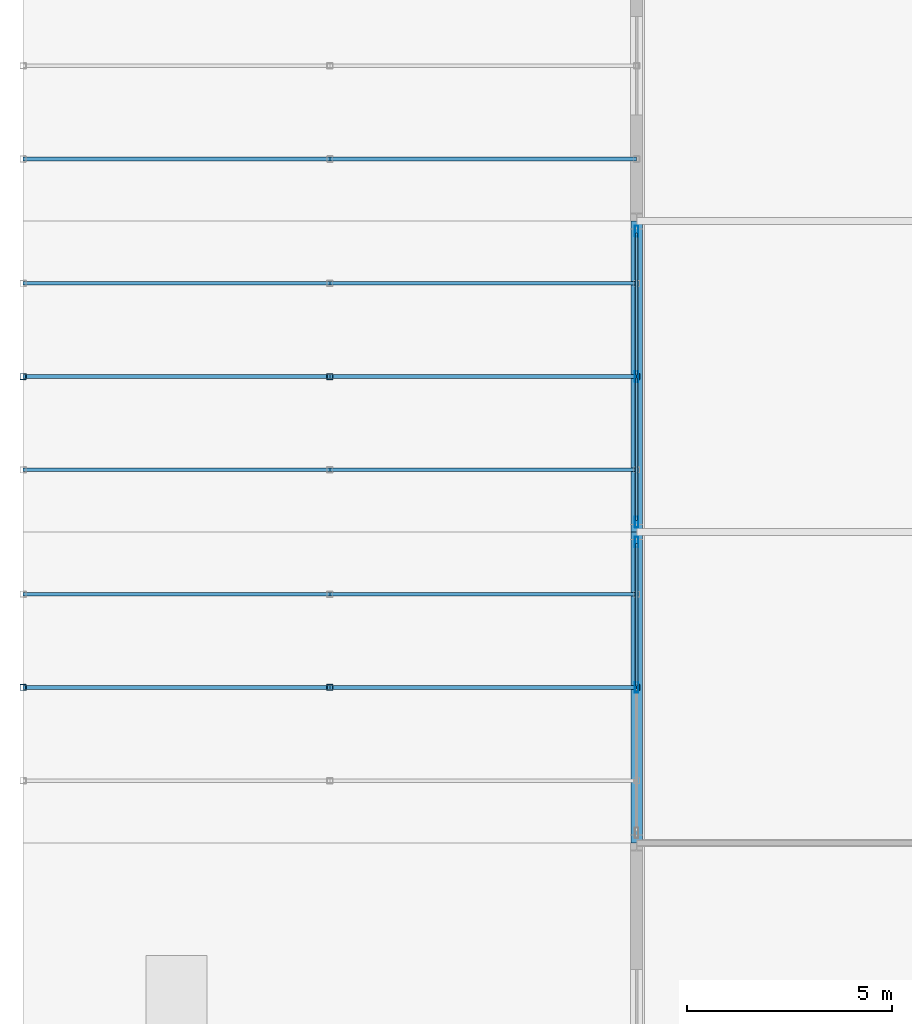
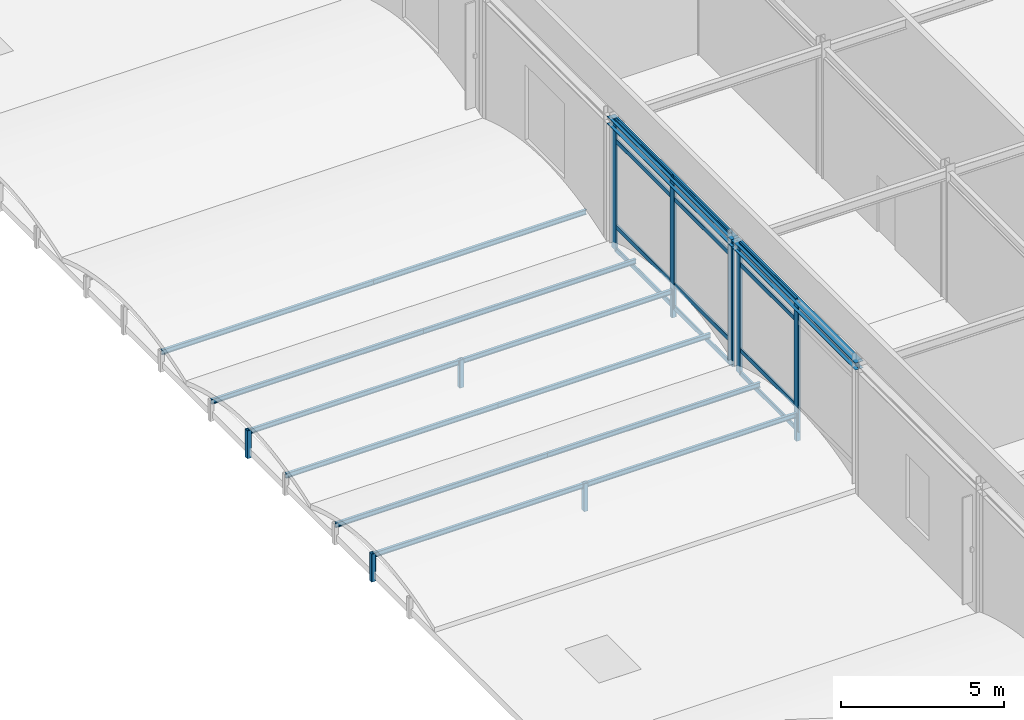
# One storey, part 18 of 79: 35 members, 2 beams, 2 elements without a shape of their own.
"""IFC4 building model written with IfcOpenShell, lengths in metres."""

from ifc_helpers import new_model, si_unit, direction, frame, origin, origin_2d, place, context, subcontext, project, spatial, hollow_rectangle, i_section, extrude, material, layer, layer_set, material_profile, profile_set, type_object, element, aggregate, save


model = new_model("IFC4")

# Units and contexts
model_context = context("Model", 3, precision=1e-05, world=origin(), true_north=direction((0.0, 1.0)))
body_context = subcontext(model_context, "Body", "Model", "MODEL_VIEW")
ifc_project = project(units=[si_unit("LENGTHUNIT", "METRE"), si_unit("AREAUNIT", "SQUARE_METRE"), si_unit("VOLUMEUNIT", "CUBIC_METRE"), si_unit("PLANEANGLEUNIT", "RADIAN"), si_unit("MASSUNIT", "GRAM", prefix="KILO")], contexts=[model_context])

# Site, building, storey
site_placement = place(None, origin())
site = spatial("IfcSite", under=ifc_project, at=site_placement, CompositionType="ELEMENT")
building_placement = place(site_placement, origin())
building = spatial("IfcBuilding", under=site, at=building_placement, Name="Shalkamar Park Central Library", CompositionType="ELEMENT")
storey_placement = place(building_placement, frame((0.0, 0.0, 10.5)))
storey = spatial("IfcBuildingStorey", under=building, at=storey_placement, Name="L03", CompositionType="ELEMENT", Elevation=10.5)

# Curtain wall, members
ifc_material_1 = material(Name="Thermally broken aluminium and triple low-e curtain wall", Category="aluminium")
ifc_layer_1 = layer(ifc_material_1, 0.2548828125)
ifc_layer_set_1 = layer_set([ifc_layer_1], Name="UnitisedCurtainWall_49")
curtain_wall_type_1 = type_object("IfcCurtainWallType", Name="Unitised Curtain Wall 49", PredefinedType="USERDEFINED", material=ifc_layer_set_1)
curtain_wall_1_placement = place(storey_placement, origin())
curtain_wall_1 = element("IfcCurtainWall", 1, at=curtain_wall_1_placement, inside=storey, type_object=curtain_wall_type_1, Name="Unitised Curtain Wall CW-L03-060", ObjectType="UNITISED CURTAIN WALL", PredefinedType="USERDEFINED")
ifc_material_2 = material(Name="Aluminium 6060-T66", Category="aluminium")
ifc_material_profile_1 = material_profile(ifc_material_2, hollow_rectangle(XDim=0.080078125, YDim=0.2548828125, WallThickness=0.00439453125, InnerFilletRadius=0.00439453125, OuterFilletRadius=0.0068359375, at=origin_2d()), Name="ALU 80x255x4.5")
ifc_profile_set_1 = profile_set([ifc_material_profile_1], Name="Aluminium 6060-T66")
member_type_1 = type_object("IfcMemberType", Name="Curtain Wall Mullion ALU80x255", PredefinedType="MULLION", material=ifc_profile_set_1)
member_1_placement = place(storey_placement, frame((150.0, 281.800048828125, 0.0), z_axis=(0.0, 0.0, 1.0), x_axis=(-1.0, 0.0, 0.0)))
member_1 = element("IfcMember", 2, at=member_1_placement, type_object=member_type_1, Name="CW-49 mullion 2", PredefinedType="MULLION", context=body_context, shape_type="SweptSolid", body=[
    extrude(hollow_rectangle(XDim=0.080078125, YDim=0.2548828125, WallThickness=0.00439453125, InnerFilletRadius=0.00439453125, OuterFilletRadius=0.0068359375, at=origin_2d()), origin(), (0.0, 0.0, 1.0), 4.85009765625),
])
member_2_placement = place(storey_placement, frame((150.0, 285.35595703125, 0.0), z_axis=(0.0, 0.0, 1.0), x_axis=(-1.0, 0.0, 0.0)))
member_2 = element("IfcMember", 3, at=member_2_placement, type_object=member_type_1, Name="CW-49 mullion 3", PredefinedType="MULLION", context=body_context, shape_type="SweptSolid", body=[
    extrude(hollow_rectangle(XDim=0.080078125, YDim=0.2548828125, WallThickness=0.00439453125, InnerFilletRadius=0.00439453125, OuterFilletRadius=0.0068359375, at=origin_2d()), origin(), (0.0, 0.0, 1.0), 4.85009765625),
])

ifc_layer_2 = layer(ifc_material_1, 0.27001953125)
ifc_layer_set_2 = layer_set([ifc_layer_2], Name="UnitisedCurtainWall_50")
curtain_wall_type_2 = type_object("IfcCurtainWallType", Name="Unitised Curtain Wall 50", PredefinedType="USERDEFINED", material=ifc_layer_set_2)
curtain_wall_2_placement = place(storey_placement, origin())
curtain_wall_2 = element("IfcCurtainWall", 4, at=curtain_wall_2_placement, inside=storey, type_object=curtain_wall_type_2, Name="Unitised Curtain Wall CW-L03-061", ObjectType="UNITISED CURTAIN WALL", PredefinedType="USERDEFINED")
ifc_material_profile_2 = material_profile(ifc_material_2, hollow_rectangle(XDim=0.080078125, YDim=0.27001953125, WallThickness=0.0048828125, InnerFilletRadius=0.0048828125, OuterFilletRadius=0.007568359375, at=origin_2d()), Name="ALU 80x270x5")
ifc_profile_set_2 = profile_set([ifc_material_profile_2], Name="Aluminium 6060-T66")
member_type_2 = type_object("IfcMemberType", Name="Curtain Wall Mullion ALU80x270", PredefinedType="MULLION", material=ifc_profile_set_2)
member_3_placement = place(storey_placement, frame((150.0, 285.843994140625, 0.0), z_axis=(0.0, 0.0, 1.0), x_axis=(-1.0, 0.0, 0.0)))
member_3 = element("IfcMember", 5, at=member_3_placement, type_object=member_type_2, Name="CW-50 mullion 1", PredefinedType="MULLION", context=body_context, shape_type="SweptSolid", body=[
    extrude(hollow_rectangle(XDim=0.080078125, YDim=0.27001953125, WallThickness=0.0048828125, InnerFilletRadius=0.0048828125, OuterFilletRadius=0.007568359375, at=origin_2d()), origin(), (0.0, 0.0, 1.0), 4.85009765625),
])
member_4_placement = place(storey_placement, frame((150.0, 289.39990234375, 0.0), z_axis=(0.0, 0.0, 1.0), x_axis=(-1.0, 0.0, 0.0)))
member_4 = element("IfcMember", 6, at=member_4_placement, type_object=member_type_2, Name="CW-50 mullion 2", PredefinedType="MULLION", context=body_context, shape_type="SweptSolid", body=[
    extrude(hollow_rectangle(XDim=0.080078125, YDim=0.27001953125, WallThickness=0.0048828125, InnerFilletRadius=0.0048828125, OuterFilletRadius=0.007568359375, at=origin_2d()), origin(), (0.0, 0.0, 1.0), 4.85009765625),
])
member_5_placement = place(storey_placement, frame((150.0, 292.9560546875, 0.0), z_axis=(0.0, 0.0, 1.0), x_axis=(-1.0, 0.0, 0.0)))
member_5 = element("IfcMember", 7, at=member_5_placement, type_object=member_type_2, Name="CW-50 mullion 3", PredefinedType="MULLION", context=body_context, shape_type="SweptSolid", body=[
    extrude(hollow_rectangle(XDim=0.080078125, YDim=0.27001953125, WallThickness=0.0048828125, InnerFilletRadius=0.0048828125, OuterFilletRadius=0.007568359375, at=origin_2d()), origin(), (0.0, 0.0, 1.0), 4.85009765625),
])

# Member
ifc_material_profile_3 = material_profile(ifc_material_2, hollow_rectangle(XDim=0.06494140625, YDim=0.169921875, WallThickness=0.00390625, InnerFilletRadius=0.00390625, OuterFilletRadius=0.006103515625, at=origin_2d()), Name="ALU 65x170x4")
ifc_profile_set_3 = profile_set([ifc_material_profile_3], Name="Aluminium 6060-T66")
member_type_3 = type_object("IfcMemberType", Name="Curtain Wall Transom ALU65x170", PredefinedType="USERDEFINED", material=ifc_profile_set_3)
member_6_placement = place(storey_placement, frame((150.0, 281.840087890625, 0.032470703125), z_axis=(0.0, 1.0, 0.0), x_axis=(-1.0, 0.0, 0.0)))
member_6 = element("IfcMember", 8, at=member_6_placement, type_object=member_type_3, Name="CW-49 transom 2.1", ObjectType="TRANSOM", PredefinedType="USERDEFINED", context=body_context, shape_type="SweptSolid", body=[
    extrude(hollow_rectangle(XDim=0.06494140625, YDim=0.169921875, WallThickness=0.00390625, InnerFilletRadius=0.00390625, OuterFilletRadius=0.006103515625, at=origin_2d()), origin(), (0.0, 0.0, 1.0), 3.475830078125),
])

member_7_placement = place(storey_placement, frame((150.0, 281.840087890625, 0.89990234375), z_axis=(0.0, 1.0, 0.0), x_axis=(-1.0, 0.0, 0.0)))
member_7 = element("IfcMember", 9, at=member_7_placement, type_object=member_type_3, Name="CW-49 transom 2.2", ObjectType="TRANSOM", PredefinedType="USERDEFINED", context=body_context, shape_type="SweptSolid", body=[
    extrude(hollow_rectangle(XDim=0.06494140625, YDim=0.169921875, WallThickness=0.00390625, InnerFilletRadius=0.00390625, OuterFilletRadius=0.006103515625, at=origin_2d()), origin(), (0.0, 0.0, 1.0), 3.475830078125),
])

member_8_placement = place(storey_placement, frame((150.0, 281.840087890625, 4.10009765625), z_axis=(0.0, 1.0, 0.0), x_axis=(-1.0, 0.0, 0.0)))
member_8 = element("IfcMember", 10, at=member_8_placement, type_object=member_type_3, Name="CW-49 transom 2.3", ObjectType="TRANSOM", PredefinedType="USERDEFINED", context=body_context, shape_type="SweptSolid", body=[
    extrude(hollow_rectangle(XDim=0.06494140625, YDim=0.169921875, WallThickness=0.00390625, InnerFilletRadius=0.00390625, OuterFilletRadius=0.006103515625, at=origin_2d()), origin(), (0.0, 0.0, 1.0), 3.475830078125),
])

member_9_placement = place(storey_placement, frame((150.0, 281.840087890625, 4.8173828125), z_axis=(0.0, 1.0, 0.0), x_axis=(-1.0, 0.0, 0.0)))
member_9 = element("IfcMember", 11, at=member_9_placement, type_object=member_type_3, Name="CW-49 transom 2.4", ObjectType="TRANSOM", PredefinedType="USERDEFINED", context=body_context, shape_type="SweptSolid", body=[
    extrude(hollow_rectangle(XDim=0.06494140625, YDim=0.169921875, WallThickness=0.00390625, InnerFilletRadius=0.00390625, OuterFilletRadius=0.006103515625, at=origin_2d()), origin(), (0.0, 0.0, 1.0), 3.475830078125),
])

aggregate(curtain_wall_1, [member_1, member_2, member_6, member_7, member_8, member_9])

ifc_material_profile_4 = material_profile(ifc_material_2, hollow_rectangle(XDim=0.06494140625, YDim=0.175048828125, WallThickness=0.00439453125, InnerFilletRadius=0.00439453125, OuterFilletRadius=0.0068359375, at=origin_2d()), Name="ALU 65x175x4.5")
ifc_profile_set_4 = profile_set([ifc_material_profile_4], Name="Aluminium 6060-T66")
member_type_4 = type_object("IfcMemberType", Name="Curtain Wall Transom ALU65x175", PredefinedType="USERDEFINED", material=ifc_profile_set_4)
member_10_placement = place(storey_placement, frame((150.0, 285.884033203125, 0.032470703125), z_axis=(0.0, 1.0, 0.0), x_axis=(-1.0, 0.0, 0.0)))
member_10 = element("IfcMember", 12, at=member_10_placement, type_object=member_type_4, Name="CW-50 transom 1.1", ObjectType="TRANSOM", PredefinedType="USERDEFINED", context=body_context, shape_type="SweptSolid", body=[
    extrude(hollow_rectangle(XDim=0.06494140625, YDim=0.175048828125, WallThickness=0.00439453125, InnerFilletRadius=0.00439453125, OuterFilletRadius=0.0068359375, at=origin_2d()), origin(), (0.0, 0.0, 1.0), 3.47607421875),
])

member_11_placement = place(storey_placement, frame((150.0, 285.884033203125, 0.89990234375), z_axis=(0.0, 1.0, 0.0), x_axis=(-1.0, 0.0, 0.0)))
member_11 = element("IfcMember", 13, at=member_11_placement, type_object=member_type_4, Name="CW-50 transom 1.2", ObjectType="TRANSOM", PredefinedType="USERDEFINED", context=body_context, shape_type="SweptSolid", body=[
    extrude(hollow_rectangle(XDim=0.06494140625, YDim=0.175048828125, WallThickness=0.00439453125, InnerFilletRadius=0.00439453125, OuterFilletRadius=0.0068359375, at=origin_2d()), origin(), (0.0, 0.0, 1.0), 3.47607421875),
])

member_12_placement = place(storey_placement, frame((150.0, 285.884033203125, 4.10009765625), z_axis=(0.0, 1.0, 0.0), x_axis=(-1.0, 0.0, 0.0)))
member_12 = element("IfcMember", 14, at=member_12_placement, type_object=member_type_4, Name="CW-50 transom 1.3", ObjectType="TRANSOM", PredefinedType="USERDEFINED", context=body_context, shape_type="SweptSolid", body=[
    extrude(hollow_rectangle(XDim=0.06494140625, YDim=0.175048828125, WallThickness=0.00439453125, InnerFilletRadius=0.00439453125, OuterFilletRadius=0.0068359375, at=origin_2d()), origin(), (0.0, 0.0, 1.0), 3.47607421875),
])

member_13_placement = place(storey_placement, frame((150.0, 285.884033203125, 4.8173828125), z_axis=(0.0, 1.0, 0.0), x_axis=(-1.0, 0.0, 0.0)))
member_13 = element("IfcMember", 15, at=member_13_placement, type_object=member_type_4, Name="CW-50 transom 1.4", ObjectType="TRANSOM", PredefinedType="USERDEFINED", context=body_context, shape_type="SweptSolid", body=[
    extrude(hollow_rectangle(XDim=0.06494140625, YDim=0.175048828125, WallThickness=0.00439453125, InnerFilletRadius=0.00439453125, OuterFilletRadius=0.0068359375, at=origin_2d()), origin(), (0.0, 0.0, 1.0), 3.47607421875),
])

member_14_placement = place(storey_placement, frame((150.0, 289.43994140625, 0.032470703125), z_axis=(0.0, 1.0, 0.0), x_axis=(-1.0, 0.0, 0.0)))
member_14 = element("IfcMember", 16, at=member_14_placement, type_object=member_type_4, Name="CW-50 transom 2.1", ObjectType="TRANSOM", PredefinedType="USERDEFINED", context=body_context, shape_type="SweptSolid", body=[
    extrude(hollow_rectangle(XDim=0.06494140625, YDim=0.175048828125, WallThickness=0.00439453125, InnerFilletRadius=0.00439453125, OuterFilletRadius=0.0068359375, at=origin_2d()), origin(), (0.0, 0.0, 1.0), 3.47607421875),
])

member_15_placement = place(storey_placement, frame((150.0, 289.43994140625, 0.89990234375), z_axis=(0.0, 1.0, 0.0), x_axis=(-1.0, 0.0, 0.0)))
member_15 = element("IfcMember", 17, at=member_15_placement, type_object=member_type_4, Name="CW-50 transom 2.2", ObjectType="TRANSOM", PredefinedType="USERDEFINED", context=body_context, shape_type="SweptSolid", body=[
    extrude(hollow_rectangle(XDim=0.06494140625, YDim=0.175048828125, WallThickness=0.00439453125, InnerFilletRadius=0.00439453125, OuterFilletRadius=0.0068359375, at=origin_2d()), origin(), (0.0, 0.0, 1.0), 3.47607421875),
])

member_16_placement = place(storey_placement, frame((150.0, 289.43994140625, 4.10009765625), z_axis=(0.0, 1.0, 0.0), x_axis=(-1.0, 0.0, 0.0)))
member_16 = element("IfcMember", 18, at=member_16_placement, type_object=member_type_4, Name="CW-50 transom 2.3", ObjectType="TRANSOM", PredefinedType="USERDEFINED", context=body_context, shape_type="SweptSolid", body=[
    extrude(hollow_rectangle(XDim=0.06494140625, YDim=0.175048828125, WallThickness=0.00439453125, InnerFilletRadius=0.00439453125, OuterFilletRadius=0.0068359375, at=origin_2d()), origin(), (0.0, 0.0, 1.0), 3.47607421875),
])

member_17_placement = place(storey_placement, frame((150.0, 289.43994140625, 4.8173828125), z_axis=(0.0, 1.0, 0.0), x_axis=(-1.0, 0.0, 0.0)))
member_17 = element("IfcMember", 19, at=member_17_placement, type_object=member_type_4, Name="CW-50 transom 2.4", ObjectType="TRANSOM", PredefinedType="USERDEFINED", context=body_context, shape_type="SweptSolid", body=[
    extrude(hollow_rectangle(XDim=0.06494140625, YDim=0.175048828125, WallThickness=0.00439453125, InnerFilletRadius=0.00439453125, OuterFilletRadius=0.0068359375, at=origin_2d()), origin(), (0.0, 0.0, 1.0), 3.47607421875),
])

aggregate(curtain_wall_2, [member_3, member_4, member_5, member_10, member_11, member_12, member_13, member_14, member_15, member_16, member_17])

# Members
ifc_material_3 = material(Name="Steel S355", Category="steel")
ifc_material_profile_5 = material_profile(ifc_material_3, hollow_rectangle(XDim=0.14990234375, YDim=0.14990234375, WallThickness=0.008056640625, InnerFilletRadius=0.008056640625, OuterFilletRadius=0.011962890625, at=origin_2d()), Name="SHS 150x150x8")
ifc_profile_set_5 = profile_set([ifc_material_profile_5], Name="Steel S355")
member_type_5 = type_object("IfcMemberType", Name="Diagonal Brace SHS150", PredefinedType="BRACE", material=ifc_profile_set_5)
for number, where, z_axis, x_axis, name in (
    (20, (135.0, 281.800048828125, -0.360107421875), (0.0, 0.0, 1.0), (1.0, 0.0, 0.0), "Vault Arch Post BV-L02-W4-03.2"),
    (21, (142.5, 281.800048828125, -0.360107421875), (0.0, 0.0, 1.0), (1.0, 0.0, 0.0), "Vault Arch Post BV-L02-W4-04.2"),
    (22, (150.0, 281.800048828125, -0.360107421875), (0.0, 0.0, 1.0), (1.0, 0.0, 0.0), "Vault Arch Post BV-L02-W4-05.2"),
    (23, (135.0, 289.39990234375, -0.360107421875), (0.0, 0.0, 1.0), (1.0, 0.0, 0.0), "Vault Arch Post BV-L02-W5-03.2"),
    (24, (142.5, 289.39990234375, -0.360107421875), (0.0, 0.0, 1.0), (1.0, 0.0, 0.0), "Vault Arch Post BV-L02-W5-04.2"),
    (25, (150.0, 289.39990234375, -0.360107421875), (0.0, 0.0, 1.0), (1.0, 0.0, 0.0), "Vault Arch Post BV-L02-W5-05.2"),
):
    element("IfcMember", number, at=place(storey_placement, frame(where, z_axis=z_axis, x_axis=x_axis)), inside=storey, type_object=member_type_5, Name=name, PredefinedType="BRACE", context=body_context, shape_type="SweptSolid", body=[
        extrude(hollow_rectangle(XDim=0.14990234375, YDim=0.14990234375, WallThickness=0.008056640625, InnerFilletRadius=0.008056640625, OuterFilletRadius=0.011962890625, at=origin_2d()), origin(), (0.0, 0.0, 1.0), 1.0400390625),
    ])

# Beams
ifc_material_profile_6 = material_profile(ifc_material_3, i_section(OverallWidth=0.280029296875, OverallDepth=0.27001953125, WebThickness=0.008056640625, FlangeThickness=0.012939453125, FilletRadius=0.02392578125, at=origin_2d()), Name="HEA 280")
ifc_profile_set_6 = profile_set([ifc_material_profile_6], Name="Steel S355")
beam_type = type_object("IfcBeamType", Name="Perimeter Spandrel Beam HEA280", PredefinedType="SPANDREL", material=ifc_profile_set_6)
beam_1_placement = place(storey_placement, frame((150.0, 278.0, 4.715087890625), z_axis=(0.0, 1.0, 0.0), x_axis=(-1.0, 0.0, 0.0)))
element("IfcBeam", 26, at=beam_1_placement, inside=storey, type_object=beam_type, Name="Beam 05:F-G (L03)", PredefinedType="SPANDREL", context=body_context, shape_type="SweptSolid", body=[
    extrude(i_section(OverallWidth=0.280029296875, OverallDepth=0.27001953125, WebThickness=0.008056640625, FlangeThickness=0.012939453125, FilletRadius=0.02392578125, at=origin_2d()), origin(), (0.0, 0.0, 1.0), 7.60009765625),
])
beam_2_placement = place(storey_placement, frame((150.0, 285.60009765625, 4.715087890625), z_axis=(0.0, 1.0, 0.0), x_axis=(-1.0, 0.0, 0.0)))
element("IfcBeam", 27, at=beam_2_placement, inside=storey, type_object=beam_type, Name="Beam 05:G-H (L03)", PredefinedType="SPANDREL", context=body_context, shape_type="SweptSolid", body=[
    extrude(i_section(OverallWidth=0.280029296875, OverallDepth=0.27001953125, WebThickness=0.008056640625, FlangeThickness=0.012939453125, FilletRadius=0.02392578125, at=origin_2d()), origin(), (0.0, 0.0, 1.0), 7.599853515625),
])

# Members
ifc_material_profile_7 = material_profile(ifc_material_3, i_section(OverallWidth=0.091064453125, OverallDepth=0.179931640625, WebThickness=0.00537109375, FlangeThickness=0.008056640625, FilletRadius=0.009033203125, at=origin_2d()), Name="IPE 180")
ifc_profile_set_7 = profile_set([ifc_material_profile_7], Name="Steel S355")
member_type_6 = type_object("IfcMemberType", Name="Roof Purlin IPE180", PredefinedType="PURLIN", material=ifc_profile_set_7)
for number, where, z_axis, x_axis, name in (
    (28, (135.0, 281.800048828125, 0.590087890625), (1.0, 0.0, 0.0), (0.0, 1.0, 0.0), "Barrel Roof Purlin BV-L02-W4-2.03"),
    (29, (142.5, 281.800048828125, 0.590087890625), (1.0, 0.0, 0.0), (0.0, 1.0, 0.0), "Barrel Roof Purlin BV-L02-W4-2.04"),
    (30, (135.0, 284.080078125, 0.330810546875), (1.0, 0.0, 0.0), (0.0, 1.0, 0.0), "Barrel Roof Purlin BV-L02-W4-3.03"),
    (31, (142.5, 284.080078125, 0.330810546875), (1.0, 0.0, 0.0), (0.0, 1.0, 0.0), "Barrel Roof Purlin BV-L02-W4-3.04"),
    (32, (135.0, 287.1201171875, 0.330810546875), (1.0, 0.0, 0.0), (0.0, 1.0, 0.0), "Barrel Roof Purlin BV-L02-W5-1.03"),
    (33, (142.5, 287.1201171875, 0.330810546875), (1.0, 0.0, 0.0), (0.0, 1.0, 0.0), "Barrel Roof Purlin BV-L02-W5-1.04"),
    (34, (135.0, 289.39990234375, 0.590087890625), (1.0, 0.0, 0.0), (0.0, 1.0, 0.0), "Barrel Roof Purlin BV-L02-W5-2.03"),
    (35, (142.5, 289.39990234375, 0.590087890625), (1.0, 0.0, 0.0), (0.0, 1.0, 0.0), "Barrel Roof Purlin BV-L02-W5-2.04"),
    (36, (135.0, 291.679931640625, 0.330810546875), (1.0, 0.0, 0.0), (0.0, 1.0, 0.0), "Barrel Roof Purlin BV-L02-W5-3.03"),
    (37, (142.5, 291.679931640625, 0.330810546875), (1.0, 0.0, 0.0), (0.0, 1.0, 0.0), "Barrel Roof Purlin BV-L02-W5-3.04"),
    (38, (135.0, 294.719970703125, 0.330810546875), (1.0, 0.0, 0.0), (0.0, 1.0, 0.0), "Barrel Roof Purlin BV-L02-W6-1.03"),
    (39, (142.5, 294.719970703125, 0.330810546875), (1.0, 0.0, 0.0), (0.0, 1.0, 0.0), "Barrel Roof Purlin BV-L02-W6-1.04"),
):
    element("IfcMember", number, at=place(storey_placement, frame(where, z_axis=z_axis, x_axis=x_axis)), inside=storey, type_object=member_type_6, Name=name, PredefinedType="PURLIN", context=body_context, shape_type="SweptSolid", body=[
        extrude(i_section(OverallWidth=0.091064453125, OverallDepth=0.179931640625, WebThickness=0.00537109375, FlangeThickness=0.008056640625, FilletRadius=0.009033203125, at=origin_2d()), origin(), (0.0, 0.0, 1.0), 7.5),
    ])

save(model, "model.ifc")
